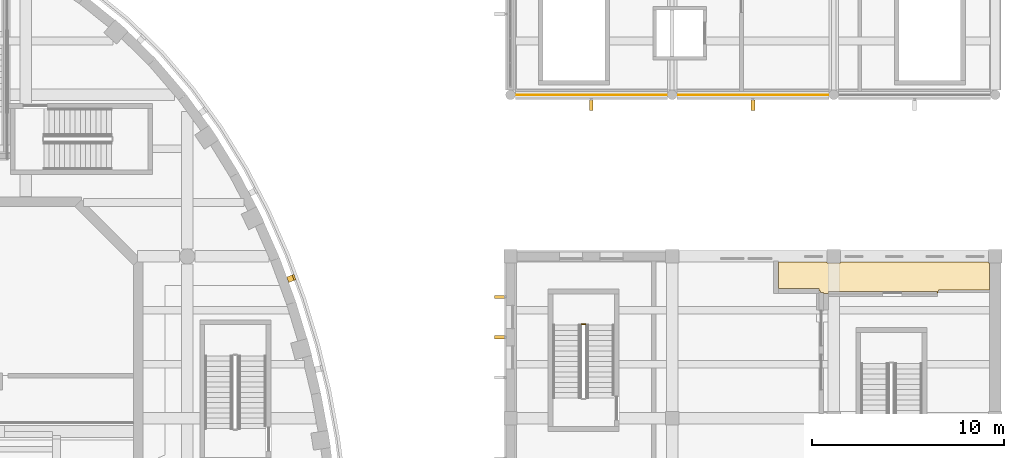
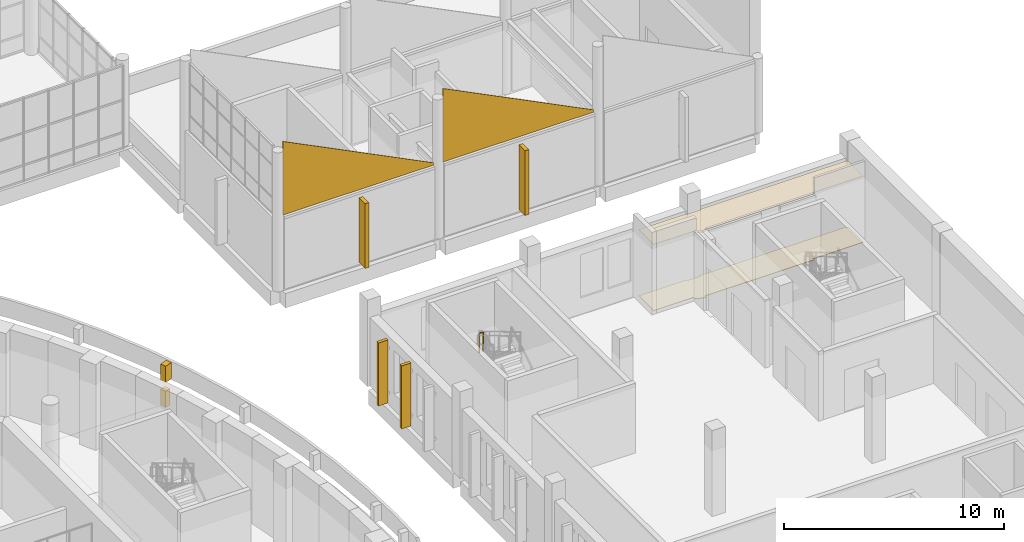
# One storey, part 118 of 119: 10 coverings, 1 railing.
"""IFC4 building model written with IfcOpenShell, lengths in metres."""

import ifcopenshell
import ifcopenshell.guid

model = None  # the IFC model being written
_history = None  # IfcOwnerHistory: only IFC2X3 demands one
_inside = {}  # id of a spatial element -> (the spatial element, [elements in it])
_under = {}  # id of a project, library or spatial element -> (it, [spatial elements below it])
_declared = {}  # id of a project -> (the project, [libraries it declares])
_typed = {}  # id of a type object -> (the type object, [elements of that type])
_made_of = {}  # id of a material, layer set ... -> (it, [elements and type objects made of it])


def new_model(schema):
    """Start an empty IFC model of exactly this schema.

    Asked for "IFC4X3", IfcOpenShell would pick the latest addendum, in which some entities
    have other attributes; the version numbers below select the first issue.
    IFC2X3 requires an IfcOwnerHistory on every rooted entity: one is made here for all.
    """
    global model, _history
    if schema == "IFC4X3":
        model = ifcopenshell.file(schema_version=(4, 3, 0, 0))
    else:
        model = ifcopenshell.file(schema=schema)
    _inside.clear()
    _under.clear()
    _declared.clear()
    _typed.clear()
    _made_of.clear()
    _history = None
    if model.schema == "IFC2X3":
        org = make("IfcOrganization", Name="unknown")
        user = make(
            "IfcPersonAndOrganization",
            ThePerson=make("IfcPerson", FamilyName="unknown"),
            TheOrganization=org,
        )
        app = make(
            "IfcApplication",
            ApplicationDeveloper=org,
            Version="unknown",
            ApplicationFullName="unknown",
            ApplicationIdentifier="unknown",
        )
        _history = make(
            "IfcOwnerHistory",
            OwningUser=user,
            OwningApplication=app,
            ChangeAction="ADDED",
            CreationDate=0,
        )
    return model


def make(cls, **values):
    """One entity of the class cls with the attributes given. An attribute that is None is left unset."""
    return model.create_entity(
        cls, **{name: value for name, value in values.items() if value is not None}
    )


def rooted(cls, **values):
    """An entity with a GlobalId (a new one), such as an element, a storey or a relation."""
    return make(cls, GlobalId=ifcopenshell.guid.new(), OwnerHistory=_history, **values)


def si_unit(unit_type, name, prefix=None):
    """IfcSIUnit, for example si_unit("LENGTHUNIT", "METRE", prefix="MILLI")."""
    return make("IfcSIUnit", UnitType=unit_type, Prefix=prefix, Name=name)


def assignment(units):
    """IfcUnitAssignment: the units of a project."""
    return None if units is None else make("IfcUnitAssignment", Units=units)


def point(xyz):
    """IfcCartesianPoint."""
    return None if xyz is None else make("IfcCartesianPoint", Coordinates=xyz)


def direction(xyz):
    """IfcDirection."""
    return None if xyz is None else make("IfcDirection", DirectionRatios=xyz)


def frame(location, z_axis=None, x_axis=None):
    """IfcAxis2Placement3D, a coordinate frame: its origin and axes. An axis left out is left unset."""
    return make(
        "IfcAxis2Placement3D",
        Location=point(location),
        Axis=direction(z_axis),
        RefDirection=direction(x_axis),
    )


def frame_2d(location, x_axis=None):
    """IfcAxis2Placement2D, a coordinate frame in the plane: its origin and x axis."""
    return make(
        "IfcAxis2Placement2D", Location=point(location), RefDirection=direction(x_axis)
    )


def origin():
    """The frame at (0, 0, 0) with its axes left unset."""
    return frame((0.0, 0.0, 0.0))


def origin_2d():
    """The frame at (0, 0) in the plane with its x axis left unset."""
    return frame_2d((0.0, 0.0))


def place(relative_to, where):
    """IfcLocalPlacement: puts the frame where relative to a parent placement (None: the world)."""
    return make(
        "IfcLocalPlacement", PlacementRelTo=relative_to, RelativePlacement=where
    )


def context(
    kind, dimensions, precision=None, world=None, true_north=None, identifier=None
):
    """IfcGeometricRepresentationContext, for example the 3D "Model" context."""
    return make(
        "IfcGeometricRepresentationContext",
        ContextIdentifier=identifier,
        ContextType=kind,
        CoordinateSpaceDimension=dimensions,
        Precision=precision,
        WorldCoordinateSystem=world,
        TrueNorth=true_north,
    )


def subcontext(parent, identifier, kind, view, scale=None):
    """IfcGeometricRepresentationSubContext, for example "Body" below "Model"."""
    return make(
        "IfcGeometricRepresentationSubContext",
        ContextIdentifier=identifier,
        ContextType=kind,
        ParentContext=parent,
        TargetScale=scale,
        TargetView=view,
    )


def project(units=None, contexts=None):
    """IfcProject with its units and contexts."""
    return rooted(
        "IfcProject",
        Name="project",
        RepresentationContexts=contexts,
        UnitsInContext=assignment(units),
    )


def spatial(cls, under=None, at=None, **own):
    """A site, building, storey or space (cls), placed at a placement, below another one or the project."""
    s = rooted(cls, ObjectPlacement=at, **own)
    if under is not None:
        _under.setdefault(under.id(), (under, []))[1].append(s)
    return s


def polyline(points):
    """IfcPolyline through the points."""
    return make("IfcPolyline", Points=[point(p) for p in points])


def profile(cls, at=None, kind="AREA", **sizes):
    """A parametric profile (cls). Its sizes go by their IFC names, for example OverallWidth=200.0."""
    return make(cls, ProfileType=kind, Position=at, **sizes)


def rectangle(**sizes):
    """IfcRectangleProfileDef."""
    return profile("IfcRectangleProfileDef", **sizes)


def circle(**sizes):
    """IfcCircleProfileDef."""
    return profile("IfcCircleProfileDef", **sizes)


def outline(outer, holes=None, kind="AREA"):
    """IfcArbitraryClosedProfileDef: a profile drawn as a closed curve; with holes, ...WithVoids."""
    if holes is None:
        return make("IfcArbitraryClosedProfileDef", ProfileType=kind, OuterCurve=outer)
    return make(
        "IfcArbitraryProfileDefWithVoids",
        ProfileType=kind,
        OuterCurve=outer,
        InnerCurves=holes,
    )


def extrude(swept, where, along, depth):
    """IfcExtrudedAreaSolid: the profile swept, set in the frame where, extruded along a direction by depth."""
    return make(
        "IfcExtrudedAreaSolid",
        SweptArea=swept,
        Position=where,
        ExtrudedDirection=direction(along),
        Depth=depth,
    )


def shape(context_of_items, identifier, shape_type, items):
    """IfcShapeRepresentation: the items that make up one representation, for example the "Body"."""
    return make(
        "IfcShapeRepresentation",
        ContextOfItems=context_of_items,
        RepresentationIdentifier=identifier,
        RepresentationType=shape_type,
        Items=items,
    )


def material(Name=None, Category=None):
    """IfcMaterial."""
    return make("IfcMaterial", Name=Name, Category=Category)


def layer(
    of_material, thickness, ventilated=None, Name=None, Category=None, Priority=None
):
    """IfcMaterialLayer: one layer of a wall or slab, of a material (None: an air gap)."""
    return make(
        "IfcMaterialLayer",
        Material=of_material,
        LayerThickness=thickness,
        IsVentilated=ventilated,
        Name=Name,
        Category=Category,
        Priority=Priority,
    )


def layer_set(layers, Name=None):
    """IfcMaterialLayerSet."""
    return make("IfcMaterialLayerSet", MaterialLayers=layers, LayerSetName=Name)


def made_of(thing, what):
    """Note that an element or type object is made of a material, layer set ...; save() writes the relation."""
    if what is not None:
        _made_of.setdefault(what.id(), (what, []))[1].append(thing)
    return thing


def type_object(cls, material=None, **own):
    """A type object (cls), such as IfcWallType, which elements share."""
    return made_of(rooted(cls, **own), material)


def element(
    cls,
    number,
    at=None,
    inside=None,
    cuts=None,
    type_object=None,
    material=None,
    context=None,
    identifier="Body",
    shape_type=None,
    held_by="IfcProductDefinitionShape",
    body=None,
    shapes=None,
    **own,
):
    """One element of the class cls, such as IfcWall. Its Tag is "e" and its number.

    at: its placement. inside: the storey or other place that contains it. cuts: it is an
    opening in that element (IfcRelVoidsElement). A single representation is given by context,
    identifier, shape_type and body (its items); several are given by shapes. held_by: the class
    of the entity that holds the representations. save() writes the other relations.
    """
    e = rooted(cls, Tag="e%d" % number, ObjectPlacement=at, **own)
    if body is not None:
        shapes = [shape(context, identifier, shape_type, body)]
    if shapes is not None:
        e.Representation = make(held_by, Representations=shapes)
    if inside is not None:
        _inside.setdefault(inside.id(), (inside, []))[1].append(e)
    if cuts is not None:
        rooted(
            "IfcRelVoidsElement", RelatingBuildingElement=cuts, RelatedOpeningElement=e
        )
    if type_object is not None:
        _typed.setdefault(type_object.id(), (type_object, []))[1].append(e)
    return made_of(e, material)


def aggregate(whole, parts):
    """IfcRelAggregates: a whole, such as a stair, and the parts it consists of."""
    return rooted("IfcRelAggregates", RelatingObject=whole, RelatedObjects=parts)


def save(model, path):
    """Write the relations noted so far, then the file.

    IfcRelAggregates (storeys below a building ...), IfcRelContainedInSpatialStructure (elements
    in a storey), IfcRelDefinesByType, IfcRelAssociatesMaterial and IfcRelDeclares: one each for
    every whole, place, type object, material and project.
    """
    for whole, parts in _under.values():
        aggregate(whole, parts)
    for where, things in _inside.values():
        rooted(
            "IfcRelContainedInSpatialStructure",
            RelatedElements=things,
            RelatingStructure=where,
        )
    for kind, things in _typed.values():
        rooted("IfcRelDefinesByType", RelatedObjects=things, RelatingType=kind)
    for what, things in _made_of.values():
        rooted("IfcRelAssociatesMaterial", RelatedObjects=things, RelatingMaterial=what)
    for by, libraries in _declared.values():
        rooted("IfcRelDeclares", RelatingContext=by, RelatedDefinitions=libraries)
    model.write(path)


model = new_model("IFC4")

# Units and contexts
model_context = context("Model", 3, precision=1e-05, world=origin(), true_north=direction((0.0, 1.0)))
body_context = subcontext(model_context, "Body", "Model", "MODEL_VIEW")
ifc_project = project(units=[si_unit("LENGTHUNIT", "METRE"), si_unit("AREAUNIT", "SQUARE_METRE"), si_unit("VOLUMEUNIT", "CUBIC_METRE"), si_unit("PLANEANGLEUNIT", "RADIAN"), si_unit("MASSUNIT", "GRAM", prefix="KILO")], contexts=[model_context])

# Site, building, storey
site_placement = place(None, origin())
site = spatial("IfcSite", under=ifc_project, at=site_placement, CompositionType="ELEMENT")
building_placement = place(site_placement, origin())
building = spatial("IfcBuilding", under=site, at=building_placement, Name="Larchfold Concert Hall", CompositionType="ELEMENT")
storey_placement = place(building_placement, frame((0.0, 0.0, 4.800048828125)))
storey = spatial("IfcBuildingStorey", under=building, at=storey_placement, Name="L01", CompositionType="ELEMENT", Elevation=4.800048828125)

# Coverings
ifc_material_1 = material(Name="Mineral fibre ceiling tile")
ifc_layer_1 = layer(ifc_material_1, 0.02001953125)
ifc_layer_set_1 = layer_set([ifc_layer_1], Name="Mineral fibre ceiling tile")
covering_type_1 = type_object("IfcCoveringType", Name="Ceiling mineral fibre tile 20", PredefinedType="CEILING", material=ifc_layer_set_1)
covering_1_placement = place(storey_placement, frame((0.0, 0.0, 3.679931640625)))
element("IfcCovering", 1, at=covering_1_placement, inside=storey, type_object=covering_type_1, Name="Ceiling Public Toilets 02", PredefinedType="CEILING", context=body_context, shape_type="SweptSolid", body=[
    extrude(outline(polyline([(90.12890625, 99.644775390625), (90.12890625, 99.726806640625), (92.22509765625, 99.72509765625), (92.22509765625, 99.60009765625), (92.3203125, 99.60009765625), (92.3203125, 99.530029296875), (92.47509765625, 99.530029296875), (92.47509765625, 99.47998046875), (92.7275390625, 99.47998046875), (92.7275390625, 99.572509765625), (98.3701171875, 99.571533203125), (98.3701171875, 99.479248046875), (98.41650390625, 99.51123046875), (98.419921875, 99.60009765625), (98.452392578125, 99.60009765625), (98.452392578125, 99.66259765625), (101.099853515625, 99.66259765625), (101.099853515625, 101.0498046875), (101.0498046875, 101.0498046875), (101.0498046875, 101.099853515625), (93.35009765625, 101.099853515625), (93.35009765625, 101.0498046875), (92.64990234375, 101.0498046875), (92.64990234375, 101.099853515625), (90.125, 101.099853515625), (90.12890625, 99.644775390625)])), origin(), (0.0, 0.0, 1.0), 0.02001953125),
])
ifc_material_2 = material(Name="Ceramic tile")
ifc_layer_2 = layer(ifc_material_2, 0.030029296875)
ifc_layer_set_2 = layer_set([ifc_layer_2], Name="Ceramic tile")
covering_type_2 = type_object("IfcCoveringType", Name="Floor finish ceramic tile 30", PredefinedType="FLOORING", material=ifc_layer_set_2)
covering_2_placement = place(storey_placement, origin())
element("IfcCovering", 2, at=covering_2_placement, inside=storey, type_object=covering_type_2, Name="Floor finish Public Toilets 02", PredefinedType="FLOORING", context=body_context, shape_type="SweptSolid", body=[
    extrude(outline(polyline([(90.12890625, 99.644775390625), (90.12890625, 99.726806640625), (92.22509765625, 99.72509765625), (92.22509765625, 99.60009765625), (92.3203125, 99.60009765625), (92.3203125, 99.530029296875), (92.47509765625, 99.530029296875), (92.47509765625, 99.47998046875), (92.7275390625, 99.47998046875), (92.7275390625, 99.572509765625), (98.3701171875, 99.571533203125), (98.3701171875, 99.479248046875), (98.41650390625, 99.51123046875), (98.419921875, 99.60009765625), (98.452392578125, 99.60009765625), (98.452392578125, 99.66259765625), (101.099853515625, 99.66259765625), (101.099853515625, 101.0498046875), (101.0498046875, 101.0498046875), (101.0498046875, 101.099853515625), (93.35009765625, 101.099853515625), (93.35009765625, 101.0498046875), (92.64990234375, 101.0498046875), (92.64990234375, 101.099853515625), (90.125, 101.099853515625), (90.12890625, 99.644775390625)])), origin(), (0.0, 0.0, 1.0), 0.030029296875),
])
ifc_material_3 = material(Name="Charred larch cladding", Category="timber")
ifc_layer_3 = layer(ifc_material_3, 0.030029296875)
ifc_layer_set_3 = layer_set([ifc_layer_3], Name="Charred larch cladding")
covering_type_3 = type_object("IfcCoveringType", Name="Gable closure panel 30", PredefinedType="CLADDING", material=ifc_layer_set_3)
covering_3_placement = place(storey_placement, frame((76.450927734375, 109.77001953125, 4.035888671875), z_axis=(0.0, -1.0, 0.0), x_axis=(1.0, 0.0, 0.0)))
element("IfcCovering", 3, at=covering_3_placement, inside=storey, type_object=covering_type_3, Name="Gable closure panel RG023", PredefinedType="CLADDING", context=body_context, shape_type="SweptSolid", body=[
    extrude(outline(polyline([(0.0, 0.0), (7.898193359375, 0.0), (7.898193359375, 0.135498046875), (0.0, 4.08447265625), (0.0, 0.0)])), origin(), (0.0, 0.0, -1.0), 0.030029296875),
])
covering_4_placement = place(storey_placement, frame((84.85107421875, 109.77001953125, 4.035888671875), z_axis=(0.0, -1.0, 0.0), x_axis=(1.0, 0.0, 0.0)))
element("IfcCovering", 4, at=covering_4_placement, inside=storey, type_object=covering_type_3, Name="Gable closure panel RG024", PredefinedType="CLADDING", context=body_context, shape_type="SweptSolid", body=[
    extrude(outline(polyline([(0.0, 0.0), (7.89794921875, 0.0), (7.89794921875, 0.135498046875), (0.0, 4.08447265625), (0.0, 0.0)])), origin(), (0.0, 0.0, -1.0), 0.030029296875),
])
ifc_material_4 = material(Name="Glulam GL30c", Category="wood")
ifc_layer_4 = layer(ifc_material_4, 0.159912109375)
ifc_layer_set_4 = layer_set([ifc_layer_4], Name="Glulam GL30c")
covering_type_4 = type_object("IfcCoveringType", Name="Glulam fin 160x500", PredefinedType="CLADDING", material=ifc_layer_set_4)
covering_5_placement = place(storey_placement, frame((0.0, 0.0, 0.199951171875)))
element("IfcCovering", 5, at=covering_5_placement, inside=storey, type_object=covering_type_4, Name="Glulam fin FN-L01-037", PredefinedType="CLADDING", context=body_context, shape_type="SweptSolid", body=[
    extrude(outline(polyline([(75.875, 97.1201171875), (75.875, 97.280029296875), (75.375, 97.280029296875), (75.375, 97.1201171875), (75.875, 97.1201171875)])), origin(), (0.0, 0.0, 1.0), 3.5),
])
covering_6_placement = place(storey_placement, frame((0.0, 0.0, 0.199951171875)))
element("IfcCovering", 6, at=covering_6_placement, inside=storey, type_object=covering_type_4, Name="Glulam fin FN-L01-038", PredefinedType="CLADDING", context=body_context, shape_type="SweptSolid", body=[
    extrude(outline(polyline([(75.875, 99.219970703125), (75.875, 99.3798828125), (75.375, 99.3798828125), (75.375, 99.219970703125), (75.875, 99.219970703125)])), origin(), (0.0, 0.0, 1.0), 3.5),
])
ifc_material_5 = material(Name="Glulam GL30c", Category="wood")
ifc_layer_5 = layer(ifc_material_5, 0.199951171875)
ifc_layer_set_5 = layer_set([ifc_layer_5], Name="Glulam GL30c")
covering_type_5 = type_object("IfcCoveringType", Name="Glulam fin 200x550", PredefinedType="CLADDING", material=ifc_layer_set_5)
covering_7_placement = place(storey_placement, frame((0.0, 0.0, 0.199951171875)))
element("IfcCovering", 7, at=covering_7_placement, inside=storey, type_object=covering_type_5, Name="Glulam fin FN-L01-048", PredefinedType="CLADDING", context=body_context, shape_type="SweptSolid", body=[
    extrude(outline(polyline([(80.5, 108.97509765625), (80.5, 109.525146484375), (80.300048828125, 109.525146484375), (80.300048828125, 108.97509765625), (80.5, 108.97509765625)])), origin(), (0.0, 0.0, 1.0), 3.599853515625),
])
covering_8_placement = place(storey_placement, frame((0.0, 0.0, 0.199951171875)))
element("IfcCovering", 8, at=covering_8_placement, inside=storey, type_object=covering_type_5, Name="Glulam fin FN-L01-049", PredefinedType="CLADDING", context=body_context, shape_type="SweptSolid", body=[
    extrude(outline(polyline([(88.89990234375, 108.97509765625), (88.89990234375, 109.525146484375), (88.699951171875, 109.525146484375), (88.699951171875, 108.97509765625), (88.89990234375, 108.97509765625)])), origin(), (0.0, 0.0, 1.0), 3.599853515625),
])
ifc_material_6 = material(Name="Galvanised steel bracket", Category="steel")
ifc_layer_6 = layer(ifc_material_6, 0.300048828125)
ifc_layer_set_6 = layer_set([ifc_layer_6], Name="Galvanised steel bracket")
covering_type_6 = type_object("IfcCoveringType", Name="Ring support bracket", PredefinedType="CLADDING", material=ifc_layer_set_6)
covering_9_placement = place(storey_placement, frame((64.760986328125, 100.240478515625, 3.35009765625), z_axis=(0.0, 0.0, 1.0), x_axis=(0.938034660892, 0.346541447688, 0.0)))
element("IfcCovering", 9, at=covering_9_placement, inside=storey, type_object=covering_type_6, Name="Ring bracket BR-R01-04", PredefinedType="CLADDING", context=body_context, shape_type="SweptSolid", body=[
    extrude(rectangle(XDim=0.300048828125, YDim=0.300048828125, at=origin_2d()), origin(), (0.0, 0.0, 1.0), 0.89990234375),
])
covering_10_placement = place(storey_placement, frame((64.807861328125, 100.2578125, 4.75), z_axis=(0.0, 0.0, 1.0), x_axis=(0.938034660892, 0.346541447688, 0.0)))
element("IfcCovering", 10, at=covering_10_placement, inside=storey, type_object=covering_type_6, Name="Ring bracket BR-R02-04", PredefinedType="CLADDING", context=body_context, shape_type="SweptSolid", body=[
    extrude(rectangle(XDim=0.39990234375, YDim=0.300048828125, at=origin_2d()), origin(), (0.0, 0.0, 1.0), 0.89990234375),
])

# Railing
ifc_material_7 = material(Name="Stainless steel balustrade", Category="steel")
railing_type = type_object("IfcRailingType", Name="Stair guard 1100", PredefinedType="GUARDRAIL", material=ifc_material_7)
railing_placement = place(storey_placement, frame((80.10009765625, 97.880126953125, 2.39990234375)))
element("IfcRailing", 11, at=railing_placement, inside=storey, type_object=railing_type, Name="Guard GR0068", PredefinedType="GUARDRAIL", context=body_context, shape_type="SweptSolid", body=[
    extrude(circle(Radius=0.02392578125, at=origin_2d()), frame((0.0, 0.0, 1.076171875), z_axis=(-1.0, 0.0, 0.0), x_axis=(0.0, -1.0, 0.0)), (0.0, 0.0, 1.0), 0.199951171875),
    extrude(circle(Radius=0.02099609375, at=origin_2d()), origin(), (0.0, 0.0, 1.0), 1.052001953125),
    extrude(circle(Radius=0.02099609375, at=origin_2d()), frame((-0.199951171875, 0.0, 0.0)), (0.0, 0.0, 1.0), 1.052001953125),
])

save(model, "model.ifc")
